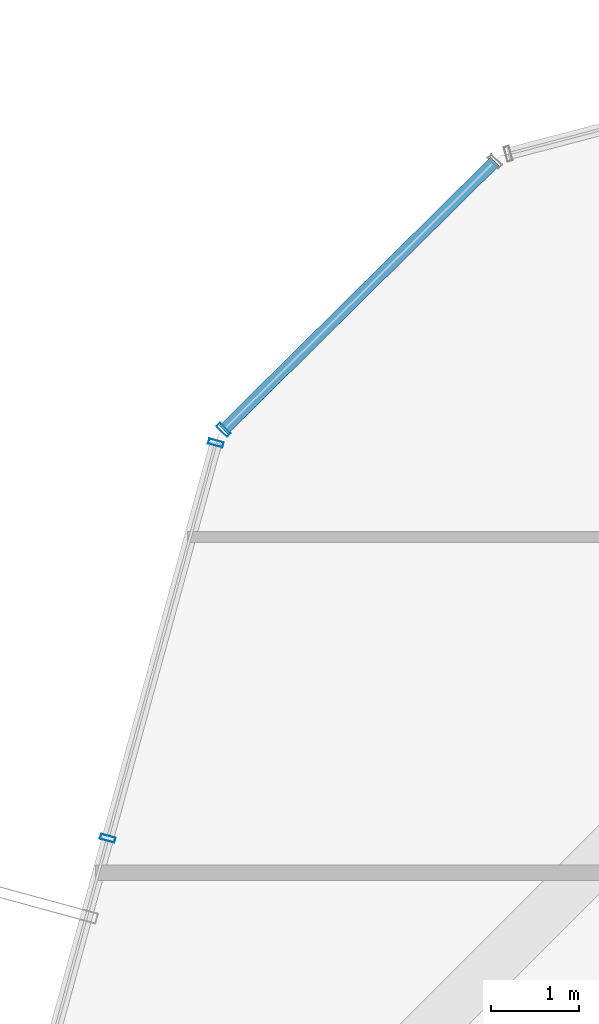
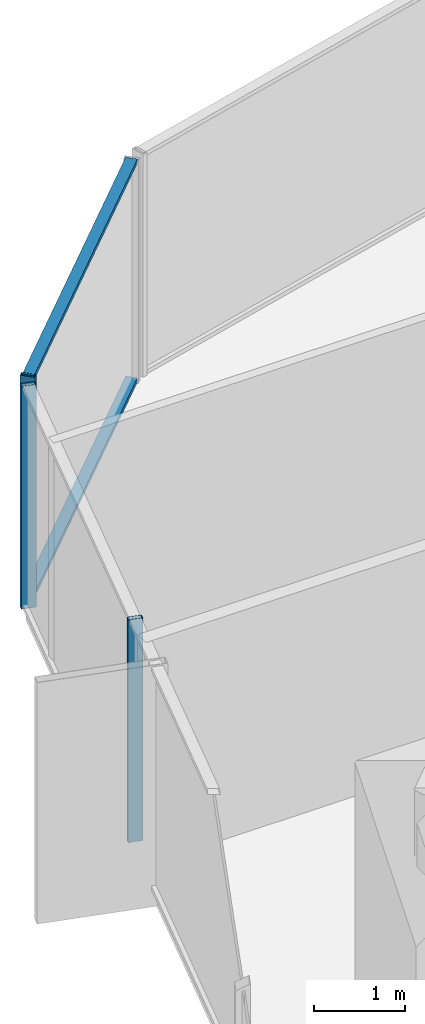
# One storey, part 22 of 39: 5 members, 2 elements without a shape of their own.
"""IFC4 building model written with IfcOpenShell, lengths in metres."""

from ifc_helpers import new_model, si_unit, direction, frame, origin, origin_2d, place, context, subcontext, project, spatial, hollow_rectangle, extrude, source, transform, mapped, material, layer, layer_set, material_profile, profile_set, type_object, element, aggregate, save


model = new_model("IFC4")

# Units and contexts
model_context = context("Model", 3, precision=1e-05, world=origin(), true_north=direction((0.0, 1.0)))
body_context = subcontext(model_context, "Body", "Model", "MODEL_VIEW")
ifc_project = project(units=[si_unit("LENGTHUNIT", "METRE"), si_unit("AREAUNIT", "SQUARE_METRE"), si_unit("VOLUMEUNIT", "CUBIC_METRE"), si_unit("PLANEANGLEUNIT", "RADIAN"), si_unit("MASSUNIT", "GRAM", prefix="KILO")], contexts=[model_context])

# Site, building, storey
site_placement = place(None, origin())
site = spatial("IfcSite", under=ifc_project, at=site_placement, CompositionType="ELEMENT")
building_placement = place(site_placement, origin())
building = spatial("IfcBuilding", under=site, at=building_placement, Name="Veraguas Prism Commons", CompositionType="ELEMENT")
storey_placement = place(building_placement, frame((0.0, 0.0, 73.85009765625)))
storey = spatial("IfcBuildingStorey", under=building, at=storey_placement, Name="L20", CompositionType="ELEMENT", Elevation=73.85009765625)

# Curtain wall, members
ifc_material = material(Name="Anodised aluminium EN AW-6063 T6", Category="aluminium")
ifc_layer = layer(ifc_material, 0.169921875, Name="Unitised Flush Curtain Wall Zone 1", Category="aluminium")
ifc_layer_set = layer_set([ifc_layer], Name="Anodised aluminium EN AW-6063 T6")
curtain_wall_type = type_object("IfcCurtainWallType", Name="Unitised Flush Curtain Wall Zone 1", PredefinedType="NOTDEFINED", material=ifc_layer_set)
curtain_wall_1_placement = place(storey_placement, origin())
curtain_wall_1 = element("IfcCurtainWall", 1, at=curtain_wall_1_placement, inside=storey, type_object=curtain_wall_type, Name="Tower Facade Curtain Wall L20-F3", PredefinedType="NOTDEFINED")
ifc_material_profile_1 = material_profile(ifc_material, hollow_rectangle(XDim=0.06005859375, YDim=0.169921875, WallThickness=0.00390625, at=origin_2d()), Name="AL60X170X4")
ifc_profile_set_1 = profile_set([ifc_material_profile_1], Name="Anodised aluminium EN AW-6063 T6")
member_type_1 = type_object("IfcMemberType", Name="Curtain Wall Mullion Lower AL 60x170x4", PredefinedType="MULLION", material=ifc_profile_set_1)
shared_shape_1 = source(origin(), body_context, "Body", "SweptSolid", [
    extrude(hollow_rectangle(XDim=0.06005859375, YDim=0.169921875, WallThickness=0.00390625, at=origin_2d()), origin(), (0.0, 0.0, 1.0), 3.0),
])
member_1_placement = place(storey_placement, frame((6.4091796875, 38.46630859375, 0.0), z_axis=(0.0, 0.0, 1.0), x_axis=(-0.26387978384, -0.964555576253, 0.0)))
member_1 = element("IfcMember", 2, at=member_1_placement, type_object=member_type_1, Name="CW-Z1 Mullion 1", PredefinedType="MULLION", context=body_context, shape_type="MappedRepresentation", body=[
    mapped(shared_shape_1, transform((0.0, 0.0, 0.0), scale=1.0)),
])
member_2_placement = place(storey_placement, frame((5.1845703125, 33.989990234375, 0.0), z_axis=(0.0, 0.0, 1.0), x_axis=(-0.26387978384, -0.964555576253, 0.0)))
member_2 = element("IfcMember", 3, at=member_2_placement, type_object=member_type_1, Name="CW-Z1 Mullion 2", PredefinedType="MULLION", context=body_context, shape_type="MappedRepresentation", body=[
    mapped(shared_shape_1, transform((0.0, 0.0, 0.0), scale=1.0)),
])
aggregate(curtain_wall_1, [member_1, member_2])

curtain_wall_2_placement = place(storey_placement, origin())
curtain_wall_2 = element("IfcCurtainWall", 4, at=curtain_wall_2_placement, inside=storey, type_object=curtain_wall_type, Name="Chamfer Curtain Wall L20-C3", PredefinedType="NOTDEFINED")
member_3_placement = place(storey_placement, frame((6.496826171875, 38.616455078125, 0.0), z_axis=(0.0, 0.0, 1.0), x_axis=(-0.710806839766, -0.703387259297, 0.0)))
member_3 = element("IfcMember", 5, at=member_3_placement, type_object=member_type_1, Name="CW-Z1 Mullion 2", PredefinedType="MULLION", context=body_context, shape_type="MappedRepresentation", body=[
    mapped(shared_shape_1, transform((0.0, 0.0, 0.0), scale=1.0)),
])
ifc_material_profile_2 = material_profile(ifc_material, hollow_rectangle(XDim=0.054931640625, YDim=0.135009765625, WallThickness=0.0029296875, at=origin_2d()), Name="AL55X135X3")
ifc_profile_set_2 = profile_set([ifc_material_profile_2], Name="Anodised aluminium EN AW-6063 T6")
member_type_2 = type_object("IfcMemberType", Name="Curtain Wall Transom Standard AL 55x135x3", PredefinedType="USERDEFINED", material=ifc_profile_set_2)
shared_shape_2 = source(origin(), body_context, "Body", "SweptSolid", [
    extrude(hollow_rectangle(XDim=0.054931640625, YDim=0.135009765625, WallThickness=0.0029296875, at=origin_2d()), origin(), (0.0, 0.0, 1.0), 4.3203125),
])
member_4_placement = place(storey_placement, frame((9.567626953125, 41.6552734375, 0.02734375), z_axis=(-0.710798580325, -0.703395605764, 0.0), x_axis=(0.0, 0.0, 1.0)))
member_4 = element("IfcMember", 6, at=member_4_placement, type_object=member_type_2, Name="CW-Z1 Transom 1", ObjectType="TRANSOM", PredefinedType="USERDEFINED", context=body_context, shape_type="MappedRepresentation", body=[
    mapped(shared_shape_2, transform((0.0, 0.0, 0.0), scale=1.0)),
])
member_5_placement = place(storey_placement, frame((9.567626953125, 41.6552734375, 2.972412109375), z_axis=(-0.710798580325, -0.703395605764, 0.0), x_axis=(0.0, 0.0, 1.0)))
member_5 = element("IfcMember", 7, at=member_5_placement, type_object=member_type_2, Name="CW-Z1 Transom 2", ObjectType="TRANSOM", PredefinedType="USERDEFINED", context=body_context, shape_type="MappedRepresentation", body=[
    mapped(shared_shape_2, transform((0.0, 0.0, 0.0), scale=1.0)),
])
aggregate(curtain_wall_2, [member_3, member_4, member_5])

save(model, "model.ifc")
